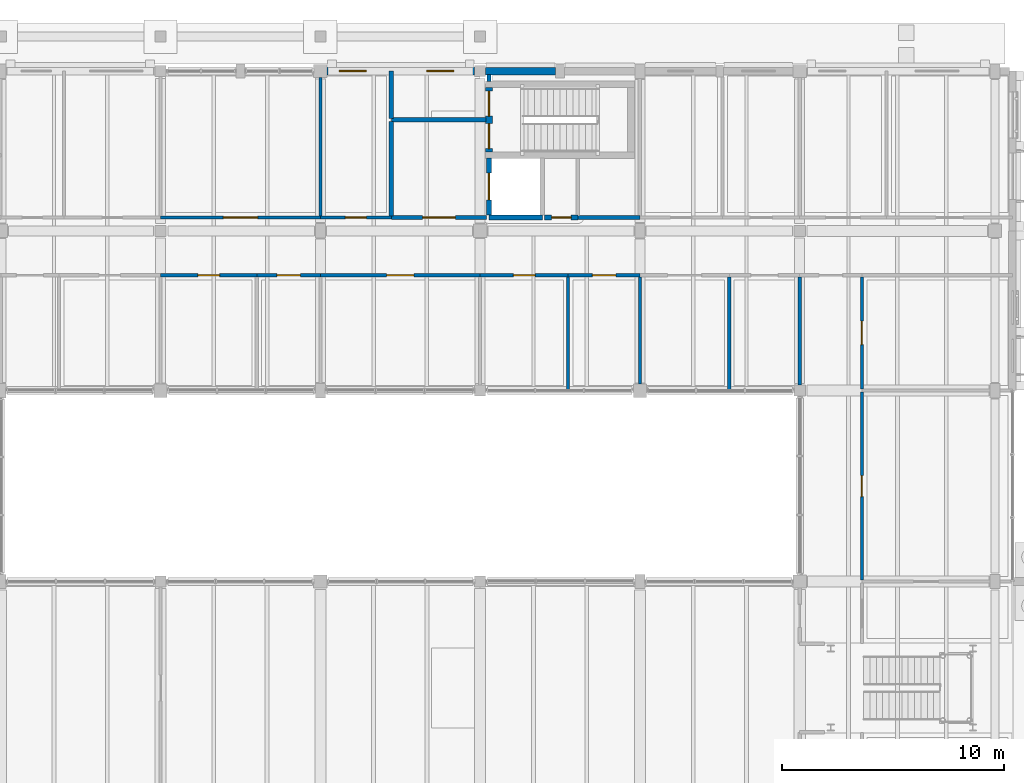
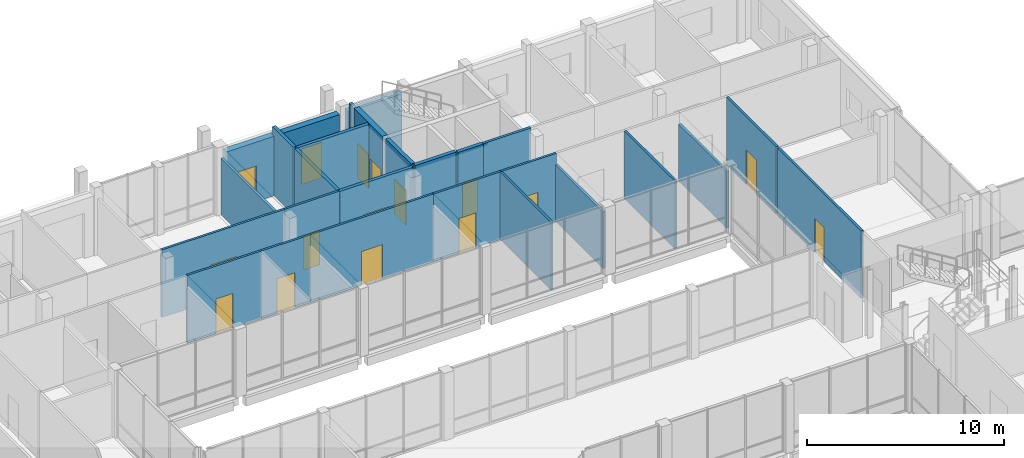
# One storey, part 76 of 104: 26 walls, 16 doors, 16 openings.
"""IFC4 building model written with IfcOpenShell, lengths in metres."""

from ifc_helpers import new_model, si_unit, direction, frame, frame_2d, origin, place, context, subcontext, project, spatial, rectangle, extrude, material, layer, layer_set, type_object, element, fill, save


model = new_model("IFC4")

# Units and contexts
model_context = context("Model", 3, precision=1e-05, world=origin(), true_north=direction((0.0, 1.0)))
body_context = subcontext(model_context, "Body", "Model", "MODEL_VIEW")
ifc_project = project(units=[si_unit("LENGTHUNIT", "METRE"), si_unit("AREAUNIT", "SQUARE_METRE"), si_unit("VOLUMEUNIT", "CUBIC_METRE"), si_unit("PLANEANGLEUNIT", "RADIAN"), si_unit("MASSUNIT", "GRAM", prefix="KILO")], contexts=[model_context])

# Site, building, storey
site_placement = place(None, origin())
site = spatial("IfcSite", under=ifc_project, at=site_placement, CompositionType="ELEMENT")
building_placement = place(site_placement, origin())
building = spatial("IfcBuilding", under=site, at=building_placement, Name="Hawrajan Terrace Health Centre", CompositionType="ELEMENT")
storey_placement = place(building_placement, origin())
storey = spatial("IfcBuildingStorey", under=building, at=storey_placement, Name="L00", CompositionType="ELEMENT", Elevation=0.0)

# Wall, opening, door
ifc_material_1 = material(Name="Gypsum board on acoustic stud framing")
ifc_layer_1 = layer(ifc_material_1, 0.139892578125)
ifc_layer_set_1 = layer_set([ifc_layer_1], Name="Gypsum board on acoustic stud framing")
wall_type_1 = type_object("IfcWallType", Name="ClinicalAcousticWall_140", PredefinedType="PARTITIONING", material=ifc_layer_set_1)
wall_1_placement = place(storey_placement, frame((33.39990234375, 50.60009765625, 0.0), z_axis=(0.0, 0.0, 1.0), x_axis=(1.0, 0.0, 0.0)))
wall_1 = element("IfcWall", 1, at=wall_1_placement, inside=storey, type_object=wall_type_1, Name="Interior wall IW-L00-0290", PredefinedType="PARTITIONING", context=body_context, shape_type="SweptSolid", body=[
    extrude(rectangle(XDim=4.333984375, YDim=0.139892578125, at=frame_2d((2.1669921875, 0.0))), origin(), (0.0, 0.0, 1.0), 4.179931640625),
])
opening_1_placement = place(wall_1_placement, frame((1.677001953125, 0.0, 0.0)))
opening_1 = element("IfcOpeningElement", 2, at=opening_1_placement, cuts=wall_1, Name="Opening D-L00-169", PredefinedType="OPENING", context=body_context, shape_type="SweptSolid", body=[
    extrude(rectangle(XDim=0.97998046875, YDim=2.14990234375, at=frame_2d((0.489990234375, 1.074951171875))), frame((0.0, 0.079833984375, 0.0), z_axis=(0.0, -1.0, 0.0), x_axis=(1.0, 0.0, 0.0)), (0.0, 0.0, 1.0), 0.159912109375),
])
ifc_material_2 = material(Name="Hardwood acoustic clinical door leaf and frame", Category="wood")
door_type_1 = type_object("IfcDoorType", Name="ConsultDoor_980x2150", OperationType="NOTDEFINED", PredefinedType="DOOR", material=ifc_material_2)
door_1_placement = place(opening_1_placement, origin())
door_1 = element("IfcDoor", 3, at=door_1_placement, inside=storey, type_object=door_type_1, Name="Interior door D-L00-169", OperationType="SINGLE_SWING_LEFT", OverallHeight=2.14990234375, OverallWidth=0.97998046875, PredefinedType="DOOR", context=body_context, shape_type="SweptSolid", body=[
    extrude(rectangle(XDim=0.97998046875, YDim=2.14990234375, at=frame_2d((0.489990234375, 1.074951171875))), frame((0.0, 0.02490234375, 0.0), z_axis=(0.0, -1.0, 0.0), x_axis=(1.0, 0.0, 0.0)), (0.0, 0.0, 1.0), 0.050048828125),
])
fill(opening_1, door_1)

wall_2_placement = place(storey_placement, frame((33.39990234375, 53.199951171875, 0.0), z_axis=(0.0, 0.0, 1.0), x_axis=(1.0, 0.0, 0.0)))
wall_2 = element("IfcWall", 4, at=wall_2_placement, inside=storey, type_object=wall_type_1, Name="Interior wall IW-L00-0292", PredefinedType="PARTITIONING", context=body_context, shape_type="SweptSolid", body=[
    extrude(rectangle(XDim=7.2001953125, YDim=0.139892578125, at=frame_2d((3.60009765625, 0.0))), origin(), (0.0, 0.0, 1.0), 4.179931640625),
])
opening_2_placement = place(wall_2_placement, frame((2.830078125, 0.0, 0.0)))
opening_2 = element("IfcOpeningElement", 5, at=opening_2_placement, cuts=wall_2, Name="Opening D-L00-171", PredefinedType="OPENING", context=body_context, shape_type="SweptSolid", body=[
    extrude(rectangle(XDim=1.5400390625, YDim=2.25, at=frame_2d((0.77001953125, 1.125))), frame((0.0, 0.079833984375, 0.0), z_axis=(0.0, -1.0, 0.0), x_axis=(1.0, 0.0, 0.0)), (0.0, 0.0, 1.0), 0.159912109375),
])
door_type_2 = type_object("IfcDoorType", Name="RecoveryBayDoor_1540x2250", OperationType="DOUBLE_DOOR_SINGLE_SWING", PredefinedType="DOOR", material=ifc_material_2)
door_2_placement = place(opening_2_placement, origin())
door_2 = element("IfcDoor", 6, at=door_2_placement, inside=storey, type_object=door_type_2, Name="Interior door D-L00-171", OperationType="DOUBLE_DOOR_SINGLE_SWING", OverallHeight=2.25, OverallWidth=1.5400390625, PredefinedType="DOOR", context=body_context, shape_type="SweptSolid", body=[
    extrude(rectangle(XDim=1.5400390625, YDim=2.25, at=frame_2d((0.77001953125, 1.125))), frame((0.0, 0.02490234375, 0.0), z_axis=(0.0, -1.0, 0.0), x_axis=(1.0, 0.0, 0.0)), (0.0, 0.0, 1.0), 0.050048828125),
])
fill(opening_2, door_2)

wall_3_placement = place(storey_placement, frame((37.73388671875, 50.60009765625, 0.0), z_axis=(0.0, 0.0, 1.0), x_axis=(1.0, 0.0, 0.0)))
wall_3 = element("IfcWall", 7, at=wall_3_placement, inside=storey, type_object=wall_type_1, Name="Interior wall IW-L00-0296", PredefinedType="PARTITIONING", context=body_context, shape_type="SweptSolid", body=[
    extrude(rectangle(XDim=2.8662109375, YDim=0.139892578125, at=frame_2d((1.43310546875, 0.0))), origin(), (0.0, 0.0, 1.0), 4.179931640625),
])
opening_3_placement = place(wall_3_placement, frame((0.903076171875, 0.0, 0.0)))
opening_3 = element("IfcOpeningElement", 8, at=opening_3_placement, cuts=wall_3, Name="Opening D-L00-170", PredefinedType="OPENING", context=body_context, shape_type="SweptSolid", body=[
    extrude(rectangle(XDim=1.06005859375, YDim=2.14990234375, at=frame_2d((0.530029296875, 1.074951171875))), frame((0.0, 0.079833984375, 0.0), z_axis=(0.0, -1.0, 0.0), x_axis=(1.0, 0.0, 0.0)), (0.0, 0.0, 1.0), 0.159912109375),
])
door_type_3 = type_object("IfcDoorType", Name="MentalHealthDoor_1060x2150", OperationType="NOTDEFINED", PredefinedType="DOOR", material=ifc_material_2)
door_3_placement = place(opening_3_placement, origin())
door_3 = element("IfcDoor", 9, at=door_3_placement, inside=storey, type_object=door_type_3, Name="Interior door D-L00-170", OperationType="SINGLE_SWING_RIGHT", OverallHeight=2.14990234375, OverallWidth=1.06005859375, PredefinedType="DOOR", context=body_context, shape_type="SweptSolid", body=[
    extrude(rectangle(XDim=1.06005859375, YDim=2.14990234375, at=frame_2d((0.530029296875, 1.074951171875))), frame((0.0, 0.02490234375, 0.0), z_axis=(0.0, -1.0, 0.0), x_axis=(1.0, 0.0, 0.0)), (0.0, 0.0, 1.0), 0.050048828125),
])
fill(opening_3, door_3)

wall_4_placement = place(storey_placement, frame((40.60009765625, 50.60009765625, 0.0), z_axis=(0.0, 0.0, 1.0), x_axis=(1.0, 0.0, 0.0)))
wall_4 = element("IfcWall", 10, at=wall_4_placement, inside=storey, type_object=wall_type_1, Name="Interior wall IW-L00-0300", PredefinedType="PARTITIONING", context=body_context, shape_type="SweptSolid", body=[
    extrude(rectangle(XDim=7.199951171875, YDim=0.139892578125, at=frame_2d((3.60009765625, 0.0))), origin(), (0.0, 0.0, 1.0), 4.179931640625),
])
opening_4_placement = place(wall_4_placement, frame((2.989990234375, 0.0, 0.0)))
opening_4 = element("IfcOpeningElement", 11, at=opening_4_placement, cuts=wall_4, Name="Opening D-L00-172", PredefinedType="OPENING", context=body_context, shape_type="SweptSolid", body=[
    extrude(rectangle(XDim=1.219970703125, YDim=2.10009765625, at=frame_2d((0.60986328125, 1.050048828125))), frame((0.0, 0.079833984375, 0.0), z_axis=(0.0, -1.0, 0.0), x_axis=(1.0, 0.0, 0.0)), (0.0, 0.0, 1.0), 0.159912109375),
])
door_type_4 = type_object("IfcDoorType", Name="ConsultDoor_1220x2100", OperationType="NOTDEFINED", PredefinedType="DOOR", material=ifc_material_2)
door_4_placement = place(opening_4_placement, origin())
door_4 = element("IfcDoor", 12, at=door_4_placement, inside=storey, type_object=door_type_4, Name="Interior door D-L00-172", OperationType="SINGLE_SWING_RIGHT", OverallHeight=2.10009765625, OverallWidth=1.219970703125, PredefinedType="DOOR", context=body_context, shape_type="SweptSolid", body=[
    extrude(rectangle(XDim=1.219970703125, YDim=2.10009765625, at=frame_2d((0.60986328125, 1.050048828125))), frame((0.0, 0.02490234375, 0.0), z_axis=(0.0, -1.0, 0.0), x_axis=(1.0, 0.0, 0.0)), (0.0, 0.0, 1.0), 0.050048828125),
])
fill(opening_4, door_4)

# Wall
wall_5_placement = place(storey_placement, frame((40.60009765625, 53.27001953125, 0.0), z_axis=(0.0, 0.0, 1.0), x_axis=(0.0, 1.0, 0.0)))
element("IfcWall", 13, at=wall_5_placement, inside=storey, type_object=wall_type_1, Name="Interior wall IW-L00-0301", PredefinedType="PARTITIONING", context=body_context, shape_type="SweptSolid", body=[
    extrude(rectangle(XDim=6.22998046875, YDim=0.139892578125, at=frame_2d((3.114990234375, 0.0))), origin(), (0.0, 0.0, 1.0), 3.5),
])

# Wall, opening, door
wall_6_placement = place(storey_placement, frame((40.60009765625, 53.199951171875, 0.0), z_axis=(0.0, 0.0, 1.0), x_axis=(1.0, 0.0, 0.0)))
wall_6 = element("IfcWall", 14, at=wall_6_placement, inside=storey, type_object=wall_type_1, Name="Interior wall IW-L00-0302", PredefinedType="PARTITIONING", context=body_context, shape_type="SweptSolid", body=[
    extrude(rectangle(XDim=3.199951171875, YDim=0.139892578125, at=frame_2d((1.60009765625, 0.0))), origin(), (0.0, 0.0, 1.0), 4.179931640625),
])
opening_5_placement = place(wall_6_placement, frame((1.125, 0.0, 0.0)))
opening_5 = element("IfcOpeningElement", 15, at=opening_5_placement, cuts=wall_6, Name="Opening D-L00-173", PredefinedType="OPENING", context=body_context, shape_type="SweptSolid", body=[
    extrude(rectangle(XDim=0.949951171875, YDim=2.10009765625, at=frame_2d((0.47509765625, 1.050048828125))), frame((0.0, 0.079833984375, 0.0), z_axis=(0.0, -1.0, 0.0), x_axis=(1.0, 0.0, 0.0)), (0.0, 0.0, 1.0), 0.159912109375),
])
door_type_5 = type_object("IfcDoorType", Name="AccessibleWCDoor_950x2100", OperationType="NOTDEFINED", PredefinedType="DOOR", material=ifc_material_2)
door_5_placement = place(opening_5_placement, origin())
door_5 = element("IfcDoor", 16, at=door_5_placement, inside=storey, type_object=door_type_5, Name="Interior door D-L00-173", OperationType="SINGLE_SWING_LEFT", OverallHeight=2.10009765625, OverallWidth=0.949951171875, PredefinedType="DOOR", context=body_context, shape_type="SweptSolid", body=[
    extrude(rectangle(XDim=0.949951171875, YDim=2.10009765625, at=frame_2d((0.47509765625, 1.050048828125))), frame((0.0, 0.02490234375, 0.0), z_axis=(0.0, -1.0, 0.0), x_axis=(1.0, 0.0, 0.0)), (0.0, 0.0, 1.0), 0.050048828125),
])
fill(opening_5, door_5)

wall_7_placement = place(storey_placement, frame((47.800048828125, 50.60009765625, 0.0), z_axis=(0.0, 0.0, 1.0), x_axis=(1.0, 0.0, 0.0)))
wall_7 = element("IfcWall", 17, at=wall_7_placement, inside=storey, type_object=wall_type_1, Name="Interior wall IW-L00-0311", PredefinedType="PARTITIONING", context=body_context, shape_type="SweptSolid", body=[
    extrude(rectangle(XDim=3.967041015625, YDim=0.139892578125, at=frame_2d((1.9833984375, 0.0))), origin(), (0.0, 0.0, 1.0), 4.179931640625),
])
opening_6_placement = place(wall_7_placement, frame((1.493408203125, 0.0, 0.0)))
opening_6 = element("IfcOpeningElement", 18, at=opening_6_placement, cuts=wall_7, Name="Opening D-L00-174", PredefinedType="OPENING", context=body_context, shape_type="SweptSolid", body=[
    extrude(rectangle(XDim=0.97998046875, YDim=2.14990234375, at=frame_2d((0.489990234375, 1.074951171875))), frame((0.0, 0.079833984375, 0.0), z_axis=(0.0, -1.0, 0.0), x_axis=(1.0, 0.0, 0.0)), (0.0, 0.0, 1.0), 0.159912109375),
])
door_6_placement = place(opening_6_placement, origin())
door_6 = element("IfcDoor", 19, at=door_6_placement, inside=storey, type_object=door_type_1, Name="Interior door D-L00-174", OperationType="SINGLE_SWING_RIGHT", OverallHeight=2.14990234375, OverallWidth=0.97998046875, PredefinedType="DOOR", context=body_context, shape_type="SweptSolid", body=[
    extrude(rectangle(XDim=0.97998046875, YDim=2.14990234375, at=frame_2d((0.489990234375, 1.074951171875))), frame((0.0, 0.02490234375, 0.0), z_axis=(0.0, -1.0, 0.0), x_axis=(1.0, 0.0, 0.0)), (0.0, 0.0, 1.0), 0.050048828125),
])
fill(opening_6, door_6)

# Wall
wall_8_placement = place(storey_placement, frame((51.76708984375, 45.39990234375, 0.0), z_axis=(0.0, 0.0, 1.0), x_axis=(0.0, 1.0, 0.0)))
element("IfcWall", 20, at=wall_8_placement, inside=storey, type_object=wall_type_1, Name="Interior wall IW-L00-0319", PredefinedType="PARTITIONING", context=body_context, shape_type="SweptSolid", body=[
    extrude(rectangle(XDim=5.130126953125, YDim=0.139892578125, at=frame_2d((2.56494140625, 0.0))), origin(), (0.0, 0.0, 1.0), 4.179931640625),
])

# Wall, opening, door
wall_9_placement = place(storey_placement, frame((51.76708984375, 50.60009765625, 0.0), z_axis=(0.0, 0.0, 1.0), x_axis=(1.0, 0.0, 0.0)))
wall_9 = element("IfcWall", 21, at=wall_9_placement, inside=storey, type_object=wall_type_1, Name="Interior wall IW-L00-0320", PredefinedType="PARTITIONING", context=body_context, shape_type="SweptSolid", body=[
    extrude(rectangle(XDim=3.23291015625, YDim=0.139892578125, at=frame_2d((1.616455078125, 0.0))), origin(), (0.0, 0.0, 1.0), 4.179931640625),
])
opening_7_placement = place(wall_9_placement, frame((1.08642578125, 0.0, 0.0)))
opening_7 = element("IfcOpeningElement", 22, at=opening_7_placement, cuts=wall_9, Name="Opening D-L00-175", PredefinedType="OPENING", context=body_context, shape_type="SweptSolid", body=[
    extrude(rectangle(XDim=1.06005859375, YDim=2.14990234375, at=frame_2d((0.530029296875, 1.074951171875))), frame((0.0, 0.079833984375, 0.0), z_axis=(0.0, -1.0, 0.0), x_axis=(1.0, 0.0, 0.0)), (0.0, 0.0, 1.0), 0.159912109375),
])
door_7_placement = place(opening_7_placement, origin())
door_7 = element("IfcDoor", 23, at=door_7_placement, inside=storey, type_object=door_type_3, Name="Interior door D-L00-175", OperationType="SINGLE_SWING_LEFT", OverallHeight=2.14990234375, OverallWidth=1.06005859375, PredefinedType="DOOR", context=body_context, shape_type="SweptSolid", body=[
    extrude(rectangle(XDim=1.06005859375, YDim=2.14990234375, at=frame_2d((0.530029296875, 1.074951171875))), frame((0.0, 0.02490234375, 0.0), z_axis=(0.0, -1.0, 0.0), x_axis=(1.0, 0.0, 0.0)), (0.0, 0.0, 1.0), 0.050048828125),
])
fill(opening_7, door_7)

# Walls
wall_10_placement = place(storey_placement, frame((55.0, 45.699951171875, 0.0), z_axis=(0.0, 0.0, 1.0), x_axis=(0.0, 1.0, 0.0)))
element("IfcWall", 24, at=wall_10_placement, inside=storey, type_object=wall_type_1, Name="Interior wall IW-L00-0323", PredefinedType="PARTITIONING", context=body_context, shape_type="SweptSolid", body=[
    extrude(rectangle(XDim=4.830078125, YDim=0.139892578125, at=frame_2d((2.4150390625, 0.0))), origin(), (0.0, 0.0, 1.0), 3.5),
])
wall_11_placement = place(storey_placement, frame((59.02490234375, 45.39990234375, 0.0), z_axis=(0.0, 0.0, 1.0), x_axis=(0.0, 1.0, 0.0)))
element("IfcWall", 25, at=wall_11_placement, inside=storey, type_object=wall_type_1, Name="Interior wall IW-L00-0331", PredefinedType="PARTITIONING", context=body_context, shape_type="SweptSolid", body=[
    extrude(rectangle(XDim=5.130126953125, YDim=0.139892578125, at=frame_2d((2.56494140625, 0.0))), origin(), (0.0, 0.0, 1.0), 4.179931640625),
])
wall_12_placement = place(storey_placement, frame((62.199951171875, 45.64990234375, 0.0), z_axis=(0.0, 0.0, 1.0), x_axis=(0.0, 1.0, 0.0)))
element("IfcWall", 26, at=wall_12_placement, inside=storey, type_object=wall_type_1, Name="Interior wall IW-L00-0338", PredefinedType="PARTITIONING", context=body_context, shape_type="SweptSolid", body=[
    extrude(rectangle(XDim=4.880126953125, YDim=0.139892578125, at=frame_2d((2.43994140625, 0.0))), origin(), (0.0, 0.0, 1.0), 3.5),
])

# Wall, opening, door
wall_13_placement = place(storey_placement, frame((65.0, 36.8701171875, 0.0), z_axis=(0.0, 0.0, 1.0), x_axis=(0.0, 1.0, 0.0)))
wall_13 = element("IfcWall", 27, at=wall_13_placement, inside=storey, type_object=wall_type_1, Name="Interior wall IW-L00-0351", PredefinedType="PARTITIONING", context=body_context, shape_type="SweptSolid", body=[
    extrude(rectangle(XDim=8.4599609375, YDim=0.139892578125, at=frame_2d((4.22998046875, 0.0))), origin(), (0.0, 0.0, 1.0), 4.179931640625),
])
opening_8_placement = place(wall_13_placement, frame((3.7548828125, 0.0, 0.0)))
opening_8 = element("IfcOpeningElement", 28, at=opening_8_placement, cuts=wall_13, Name="Opening D-L00-133", PredefinedType="OPENING", context=body_context, shape_type="SweptSolid", body=[
    extrude(rectangle(XDim=0.949951171875, YDim=2.10009765625, at=frame_2d((0.47509765625, 1.050048828125))), frame((0.0, 0.079833984375, 0.0), z_axis=(0.0, -1.0, 0.0), x_axis=(1.0, 0.0, 0.0)), (0.0, 0.0, 1.0), 0.159912109375),
])
door_8_placement = place(opening_8_placement, origin())
door_8 = element("IfcDoor", 29, at=door_8_placement, inside=storey, type_object=door_type_5, Name="Interior door D-L00-133", OperationType="SINGLE_SWING_LEFT", OverallHeight=2.10009765625, OverallWidth=0.949951171875, PredefinedType="DOOR", context=body_context, shape_type="SweptSolid", body=[
    extrude(rectangle(XDim=0.949951171875, YDim=2.10009765625, at=frame_2d((0.47509765625, 1.050048828125))), frame((0.0, 0.02490234375, 0.0), z_axis=(0.0, -1.0, 0.0), x_axis=(1.0, 0.0, 0.0)), (0.0, 0.0, 1.0), 0.050048828125),
])
fill(opening_8, door_8)

wall_14_placement = place(storey_placement, frame((65.0, 45.469970703125, 0.0), z_axis=(0.0, 0.0, 1.0), x_axis=(0.0, 1.0, 0.0)))
wall_14 = element("IfcWall", 30, at=wall_14_placement, inside=storey, type_object=wall_type_1, Name="Interior wall IW-L00-0354", PredefinedType="PARTITIONING", context=body_context, shape_type="SweptSolid", body=[
    extrude(rectangle(XDim=5.06005859375, YDim=0.139892578125, at=frame_2d((2.530029296875, 0.0))), origin(), (0.0, 0.0, 1.0), 4.179931640625),
])
opening_9_placement = place(wall_14_placement, frame((2.0, 0.0, 0.0)))
opening_9 = element("IfcOpeningElement", 31, at=opening_9_placement, cuts=wall_14, Name="Opening D-L00-180", PredefinedType="OPENING", context=body_context, shape_type="SweptSolid", body=[
    extrude(rectangle(XDim=1.06005859375, YDim=2.14990234375, at=frame_2d((0.530029296875, 1.074951171875))), frame((0.0, 0.079833984375, 0.0), z_axis=(0.0, -1.0, 0.0), x_axis=(1.0, 0.0, 0.0)), (0.0, 0.0, 1.0), 0.159912109375),
])
door_9_placement = place(opening_9_placement, origin())
door_9 = element("IfcDoor", 32, at=door_9_placement, inside=storey, type_object=door_type_3, Name="Interior door D-L00-180", OperationType="SINGLE_SWING_RIGHT", OverallHeight=2.14990234375, OverallWidth=1.06005859375, PredefinedType="DOOR", context=body_context, shape_type="SweptSolid", body=[
    extrude(rectangle(XDim=1.06005859375, YDim=2.14990234375, at=frame_2d((0.530029296875, 1.074951171875))), frame((0.0, 0.02490234375, 0.0), z_axis=(0.0, -1.0, 0.0), x_axis=(1.0, 0.0, 0.0)), (0.0, 0.0, 1.0), 0.050048828125),
])
fill(opening_9, door_9)

# Wall
ifc_material_3 = material(Name="Precast concrete C40/50", Category="concrete")
ifc_layer_2 = layer(ifc_material_3, 0.340087890625)
ifc_layer_set_2 = layer_set([ifc_layer_2], Name="Precast concrete C40/50")
wall_type_2 = type_object("IfcWallType", Name="CoralAshlarWall_340", PredefinedType="SOLIDWALL", material=ifc_layer_set_2)
wall_15_placement = place(storey_placement, frame((48.050048828125, 59.800048828125, 0.0), z_axis=(0.0, 0.0, 1.0), x_axis=(1.0, 0.0, 0.0)))
element("IfcWall", 33, at=wall_15_placement, inside=storey, type_object=wall_type_2, Name="Exterior wall EW-L00-H06-07-1", PredefinedType="SOLIDWALL", context=body_context, shape_type="SweptSolid", body=[
    extrude(rectangle(XDim=3.14990234375, YDim=0.340087890625, at=frame_2d((1.574951171875, 0.0))), origin(), (0.0, 0.0, 1.0), 3.679931640625),
])

# Wall, openings, doors
ifc_layer_3 = layer(ifc_material_3, 0.360107421875)
ifc_layer_set_3 = layer_set([ifc_layer_3], Name="Precast concrete C40/50")
wall_type_3 = type_object("IfcWallType", Name="CoralPodiumWall_360", PredefinedType="SOLIDWALL", material=ifc_layer_set_3)
wall_16_placement = place(storey_placement, frame((40.89990234375, 59.800048828125, 0.0), z_axis=(0.0, 0.0, 1.0), x_axis=(1.0, 0.0, 0.0)))
wall_16 = element("IfcWall", 34, at=wall_16_placement, inside=storey, type_object=wall_type_3, Name="Exterior wall EW-L00-H05-07-1", PredefinedType="SOLIDWALL", context=body_context, shape_type="SweptSolid", body=[
    extrude(rectangle(XDim=6.650146484375, YDim=0.360107421875, at=frame_2d((3.3251953125, 0.0))), origin(), (0.0, 0.0, 1.0), 3.679931640625),
])
opening_10_placement = place(wall_16_placement, frame((0.550048828125, 0.0, 0.0)))
opening_10 = element("IfcOpeningElement", 35, at=opening_10_placement, cuts=wall_16, Name="Opening D-L00-E007", PredefinedType="OPENING", context=body_context, shape_type="SweptSolid", body=[
    extrude(rectangle(XDim=1.219970703125, YDim=2.199951171875, at=frame_2d((0.60986328125, 1.10009765625))), frame((0.0, 0.18994140625, 0.0), z_axis=(0.0, -1.0, 0.0), x_axis=(1.0, 0.0, 0.0)), (0.0, 0.0, 1.0), 0.380126953125),
])
opening_11_placement = place(wall_16_placement, frame((4.489990234375, 0.0, 0.0)))
opening_11 = element("IfcOpeningElement", 36, at=opening_11_placement, cuts=wall_16, Name="Opening D-L00-E008", PredefinedType="OPENING", context=body_context, shape_type="SweptSolid", body=[
    extrude(rectangle(XDim=1.219970703125, YDim=2.199951171875, at=frame_2d((0.60986328125, 1.10009765625))), frame((0.0, 0.18994140625, 0.0), z_axis=(0.0, -1.0, 0.0), x_axis=(1.0, 0.0, 0.0)), (0.0, 0.0, 1.0), 0.380126953125),
])
ifc_material_4 = material(Name="Anodized bronze thermally broken fire-rated glazed door")
door_type_6 = type_object("IfcDoorType", Name="StairDischargeDoor_1220x2200", OperationType="NOTDEFINED", PredefinedType="DOOR", material=ifc_material_4)
door_10_placement = place(opening_10_placement, origin())
door_10 = element("IfcDoor", 37, at=door_10_placement, inside=storey, type_object=door_type_6, Name="North Central Final Exit Door D-L00-E007", OperationType="SINGLE_SWING_LEFT", OverallHeight=2.199951171875, OverallWidth=1.219970703125, PredefinedType="DOOR", context=body_context, shape_type="SweptSolid", body=[
    extrude(rectangle(XDim=1.219970703125, YDim=2.199951171875, at=frame_2d((0.60986328125, 1.10009765625))), frame((0.0, 0.02490234375, 0.0), z_axis=(0.0, -1.0, 0.0), x_axis=(1.0, 0.0, 0.0)), (0.0, 0.0, 1.0), 0.050048828125),
])
fill(opening_10, door_10)
door_11_placement = place(opening_11_placement, origin())
door_11 = element("IfcDoor", 38, at=door_11_placement, inside=storey, type_object=door_type_6, Name="Exit Passage C2 Final Exit Door D-L00-E008", OperationType="SINGLE_SWING_RIGHT", OverallHeight=2.199951171875, OverallWidth=1.219970703125, PredefinedType="DOOR", context=body_context, shape_type="SweptSolid", body=[
    extrude(rectangle(XDim=1.219970703125, YDim=2.199951171875, at=frame_2d((0.60986328125, 1.10009765625))), frame((0.0, 0.02490234375, 0.0), z_axis=(0.0, -1.0, 0.0), x_axis=(1.0, 0.0, 0.0)), (0.0, 0.0, 1.0), 0.050048828125),
])
fill(opening_11, door_11)

ifc_material_5 = material(Name="Concrete C40/50", Category="concrete")
ifc_layer_4 = layer(ifc_material_5, 0.300048828125)
ifc_layer_set_4 = layer_set([ifc_layer_4], Name="Concrete C40/50")
wall_type_4 = type_object("IfcWallType", Name="CoreShearWall_RC300", PredefinedType="SHEAR", material=ifc_layer_set_4)
wall_17_placement = place(storey_placement, frame((48.199951171875, 56.14990234375, 0.0), z_axis=(0.0, 0.0, 1.0), x_axis=(0.0, 1.0, 0.0)))
wall_17 = element("IfcWall", 39, at=wall_17_placement, inside=storey, type_object=wall_type_4, Name="Core shear wall SW-C2-L00-W", PredefinedType="SHEAR", context=body_context, shape_type="SweptSolid", body=[
    extrude(rectangle(XDim=2.900146484375, YDim=0.300048828125, at=frame_2d((1.4501953125, 0.0))), origin(), (0.0, 0.0, 1.0), 4.25),
])
opening_12_placement = place(wall_17_placement, frame((1.6201171875, 0.0, 0.0)))
opening_12 = element("IfcOpeningElement", 40, at=opening_12_placement, cuts=wall_17, Name="Opening D-L00-093", PredefinedType="OPENING", context=body_context, shape_type="SweptSolid", body=[
    extrude(rectangle(XDim=1.1201171875, YDim=2.10009765625, at=frame_2d((0.56005859375, 1.050048828125))), frame((0.0, 0.159912109375, 0.0), z_axis=(0.0, -1.0, 0.0), x_axis=(1.0, 0.0, 0.0)), (0.0, 0.0, 1.0), 0.320068359375),
])
opening_13_placement = place(wall_17_placement, frame((0.159912109375, 0.0, 0.0)))
opening_13 = element("IfcOpeningElement", 41, at=opening_13_placement, cuts=wall_17, Name="Opening D-L00-094", PredefinedType="OPENING", context=body_context, shape_type="SweptSolid", body=[
    extrude(rectangle(XDim=1.1201171875, YDim=2.10009765625, at=frame_2d((0.56005859375, 1.050048828125))), frame((0.0, 0.159912109375, 0.0), z_axis=(0.0, -1.0, 0.0), x_axis=(1.0, 0.0, 0.0)), (0.0, 0.0, 1.0), 0.320068359375),
])
ifc_material_6 = material(Name="Timber-veneered acoustic fire-resisting door assembly", Category="wood")
door_type_7 = type_object("IfcDoorType", Name="CoreStairDoor_1120x2100", OperationType="NOTDEFINED", PredefinedType="DOOR", material=ifc_material_6)
door_12_placement = place(opening_12_placement, origin())
door_12 = element("IfcDoor", 42, at=door_12_placement, inside=storey, type_object=door_type_7, Name="Interior door D-L00-093", OperationType="SINGLE_SWING_LEFT", OverallHeight=2.10009765625, OverallWidth=1.1201171875, PredefinedType="DOOR", context=body_context, shape_type="SweptSolid", body=[
    extrude(rectangle(XDim=1.1201171875, YDim=2.10009765625, at=frame_2d((0.56005859375, 1.050048828125))), frame((0.0, 0.02490234375, 0.0), z_axis=(0.0, -1.0, 0.0), x_axis=(1.0, 0.0, 0.0)), (0.0, 0.0, 1.0), 0.050048828125),
])
fill(opening_12, door_12)
door_13_placement = place(opening_13_placement, origin())
door_13 = element("IfcDoor", 43, at=door_13_placement, inside=storey, type_object=door_type_7, Name="Interior door D-L00-094", OperationType="SINGLE_SWING_RIGHT", OverallHeight=2.10009765625, OverallWidth=1.1201171875, PredefinedType="DOOR", context=body_context, shape_type="SweptSolid", body=[
    extrude(rectangle(XDim=1.1201171875, YDim=2.10009765625, at=frame_2d((0.56005859375, 1.050048828125))), frame((0.0, 0.02490234375, 0.0), z_axis=(0.0, -1.0, 0.0), x_axis=(1.0, 0.0, 0.0)), (0.0, 0.0, 1.0), 0.050048828125),
])
fill(opening_13, door_13)

# Walls
ifc_layer_5 = layer(ifc_material_1, 0.159912109375)
ifc_layer_set_5 = layer_set([ifc_layer_5], Name="Gypsum board on acoustic stud framing")
wall_type_5 = type_object("IfcWallType", Name="CorridorFireWall_160", PredefinedType="PARTITIONING", material=ifc_layer_set_5)
wall_18_placement = place(storey_placement, frame((55.0, 53.199951171875, 0.0), z_axis=(0.0, 0.0, 1.0), x_axis=(-1.0, 0.0, 0.0)))
element("IfcWall", 44, at=wall_18_placement, inside=storey, type_object=wall_type_5, Name="Interior wall IW-L00-0479", PredefinedType="PARTITIONING", context=body_context, shape_type="SweptSolid", body=[
    extrude(rectangle(XDim=2.800048828125, YDim=0.159912109375, at=frame_2d((1.39990234375, 0.0))), origin(), (0.0, 0.0, 1.0), 4.179931640625),
])
ifc_material_7 = material(Name="Cross-laminated timber CLT C24", Category="wood")
ifc_layer_6 = layer(ifc_material_7, 0.199951171875)
ifc_layer_set_6 = layer_set([ifc_layer_6], Name="Cross-laminated timber CLT C24")
wall_type_6 = type_object("IfcWallType", Name="FireCompartmentWall_200", PredefinedType="PARTITIONING", material=ifc_layer_set_6)
wall_19_placement = place(storey_placement, frame((43.800048828125, 53.27001953125, 0.0), z_axis=(0.0, 0.0, 1.0), x_axis=(0.0, 1.0, 0.0)))
element("IfcWall", 45, at=wall_19_placement, inside=storey, type_object=wall_type_6, Name="Interior wall IW-L00-0303", PredefinedType="PARTITIONING", context=body_context, shape_type="SweptSolid", body=[
    extrude(rectangle(XDim=4.260009765625, YDim=0.199951171875, at=frame_2d((2.1298828125, 0.0))), origin(), (0.0, 0.0, 1.0), 4.179931640625),
])

# Wall, opening, door
wall_20_placement = place(storey_placement, frame((43.800048828125, 53.199951171875, 0.0), z_axis=(0.0, 0.0, 1.0), x_axis=(1.0, 0.0, 0.0)))
wall_20 = element("IfcWall", 46, at=wall_20_placement, inside=storey, type_object=wall_type_6, Name="Interior wall IW-L00-0304", PredefinedType="PARTITIONING", context=body_context, shape_type="SweptSolid", body=[
    extrude(rectangle(XDim=4.2900390625, YDim=0.199951171875, at=frame_2d((2.14501953125, 0.0))), origin(), (0.0, 0.0, 1.0), 4.179931640625),
])
opening_14_placement = place(wall_20_placement, frame((1.405029296875, 0.0, 0.0)))
opening_14 = element("IfcOpeningElement", 47, at=opening_14_placement, cuts=wall_20, Name="Opening D-L00-104", PredefinedType="OPENING", context=body_context, shape_type="SweptSolid", body=[
    extrude(rectangle(XDim=1.47998046875, YDim=2.25, at=frame_2d((0.739990234375, 1.125))), frame((0.0, 0.10986328125, 0.0), z_axis=(0.0, -1.0, 0.0), x_axis=(1.0, 0.0, 0.0)), (0.0, 0.0, 1.0), 0.219970703125),
])
door_type_8 = type_object("IfcDoorType", Name="FFLobbyDoor_1480x2250", OperationType="DOUBLE_DOOR_SINGLE_SWING", PredefinedType="DOOR", material=ifc_material_6)
door_14_placement = place(opening_14_placement, origin())
door_14 = element("IfcDoor", 48, at=door_14_placement, inside=storey, type_object=door_type_8, Name="Interior door D-L00-104", OperationType="DOUBLE_DOOR_SINGLE_SWING", OverallHeight=2.25, OverallWidth=1.47998046875, PredefinedType="DOOR", context=body_context, shape_type="SweptSolid", body=[
    extrude(rectangle(XDim=1.47998046875, YDim=2.25, at=frame_2d((0.739990234375, 1.125))), frame((0.0, 0.02490234375, 0.0), z_axis=(0.0, -1.0, 0.0), x_axis=(1.0, 0.0, 0.0)), (0.0, 0.0, 1.0), 0.050048828125),
])
fill(opening_14, door_14)

# Walls
wall_21_placement = place(storey_placement, frame((43.800048828125, 57.669921875, 0.0), z_axis=(0.0, 0.0, 1.0), x_axis=(0.0, 1.0, 0.0)))
element("IfcWall", 49, at=wall_21_placement, inside=storey, type_object=wall_type_6, Name="Interior wall IW-L00-0305", PredefinedType="PARTITIONING", context=body_context, shape_type="SweptSolid", body=[
    extrude(rectangle(XDim=2.130126953125, YDim=0.199951171875, at=frame_2d((1.06494140625, 0.0))), origin(), (0.0, 0.0, 1.0), 4.179931640625),
])
wall_22_placement = place(storey_placement, frame((43.800048828125, 57.60009765625, 0.0), z_axis=(0.0, 0.0, 1.0), x_axis=(1.0, 0.0, 0.0)))
element("IfcWall", 50, at=wall_22_placement, inside=storey, type_object=wall_type_6, Name="Interior wall IW-L00-0306", PredefinedType="PARTITIONING", context=body_context, shape_type="SweptSolid", body=[
    extrude(rectangle(XDim=4.260009765625, YDim=0.199951171875, at=frame_2d((2.1298828125, 0.0))), origin(), (0.0, 0.0, 1.0), 4.179931640625),
])
wall_23_placement = place(storey_placement, frame((48.199951171875, 59.340087890625, 0.0), z_axis=(0.0, 0.0, 1.0), x_axis=(0.0, 1.0, 0.0)))
element("IfcWall", 51, at=wall_23_placement, inside=storey, type_object=wall_type_6, Name="Interior wall IW-L00-0471", PredefinedType="PARTITIONING", context=body_context, shape_type="SweptSolid", body=[
    extrude(rectangle(XDim=0.309814453125, YDim=0.199951171875, at=frame_2d((0.15478515625, 0.0))), origin(), (0.0, 0.0, 1.0), 4.179931640625),
])
ifc_layer_7 = layer(ifc_material_5, 0.219970703125)
ifc_layer_set_7 = layer_set([ifc_layer_7], Name="Concrete C40/50")
wall_type_7 = type_object("IfcWallType", Name="ShaftWall_RC220", PredefinedType="SOLIDWALL", material=ifc_layer_set_7)
wall_24_placement = place(storey_placement, frame((48.199951171875, 53.199951171875, 0.0), z_axis=(0.0, 0.0, 1.0), x_axis=(1.0, 0.0, 0.0)))
element("IfcWall", 52, at=wall_24_placement, inside=storey, type_object=wall_type_7, Name="Lift shaft wall LW-LC-03-L00-S", PredefinedType="SOLIDWALL", context=body_context, shape_type="SweptSolid", body=[
    extrude(rectangle(XDim=2.400146484375, YDim=0.219970703125, at=frame_2d((1.2001953125, 0.0))), origin(), (0.0, 0.0, 1.0), 4.25),
])

# Wall, opening, door
wall_25_placement = place(storey_placement, frame((48.199951171875, 53.31005859375, 0.0), z_axis=(0.0, 0.0, 1.0), x_axis=(0.0, 1.0, 0.0)))
wall_25 = element("IfcWall", 53, at=wall_25_placement, inside=storey, type_object=wall_type_7, Name="Lift shaft wall LW-LC-03-L00-W", PredefinedType="SOLIDWALL", context=body_context, shape_type="SweptSolid", body=[
    extrude(rectangle(XDim=2.579833984375, YDim=0.219970703125, at=frame_2d((1.2900390625, 0.0))), origin(), (0.0, 0.0, 1.0), 4.25),
])
opening_15_placement = place(wall_25_placement, frame((0.68994140625, 0.0, 0.0)))
opening_15 = element("IfcOpeningElement", 54, at=opening_15_placement, cuts=wall_25, Name="Opening LD-L00-LC-03", PredefinedType="OPENING", context=body_context, shape_type="SweptSolid", body=[
    extrude(rectangle(XDim=1.199951171875, YDim=2.14990234375, at=frame_2d((0.60009765625, 1.074951171875))), frame((0.0, 0.119873046875, 0.0), z_axis=(0.0, -1.0, 0.0), x_axis=(1.0, 0.0, 0.0)), (0.0, 0.0, 1.0), 0.239990234375),
])
ifc_material_8 = material(Name="Brushed bronze stainless-steel sliding lift landing door", Category="steel")
door_type_9 = type_object("IfcDoorType", Name="LiftLandingDoor_1200x2150", OperationType="SLIDING_TO_LEFT", PredefinedType="DOOR", material=ifc_material_8)
door_15_placement = place(opening_15_placement, origin())
door_15 = element("IfcDoor", 55, at=door_15_placement, inside=storey, type_object=door_type_9, Name="Lift landing door LD-L00-LC-03", OperationType="SLIDING_TO_LEFT", OverallHeight=2.14990234375, OverallWidth=1.199951171875, PredefinedType="DOOR", context=body_context, shape_type="SweptSolid", body=[
    extrude(rectangle(XDim=1.199951171875, YDim=2.14990234375, at=frame_2d((0.60009765625, 1.074951171875))), frame((0.0, 0.02490234375, 0.0), z_axis=(0.0, -1.0, 0.0), x_axis=(1.0, 0.0, 0.0)), (0.0, 0.0, 1.0), 0.050048828125),
])
fill(opening_15, door_15)

wall_26_placement = place(storey_placement, frame((50.7099609375, 53.199951171875, 0.0), z_axis=(0.0, 0.0, 1.0), x_axis=(1.0, 0.0, 0.0)))
wall_26 = element("IfcWall", 56, at=wall_26_placement, inside=storey, type_object=wall_type_7, Name="Interior wall IW-L00-0312", PredefinedType="SOLIDWALL", context=body_context, shape_type="SweptSolid", body=[
    extrude(rectangle(XDim=1.489990234375, YDim=0.219970703125, at=frame_2d((0.7451171875, 0.0))), origin(), (0.0, 0.0, 1.0), 4.179931640625),
])
opening_16_placement = place(wall_26_placement, frame((0.304931640625, 0.0, 0.0)))
opening_16 = element("IfcOpeningElement", 57, at=opening_16_placement, cuts=wall_26, Name="Opening D-L00-140", PredefinedType="OPENING", context=body_context, shape_type="SweptSolid", body=[
    extrude(rectangle(XDim=0.8798828125, YDim=2.050048828125, at=frame_2d((0.43994140625, 1.02490234375))), frame((0.0, 0.119873046875, 0.0), z_axis=(0.0, -1.0, 0.0), x_axis=(1.0, 0.0, 0.0)), (0.0, 0.0, 1.0), 0.239990234375),
])
door_type_10 = type_object("IfcDoorType", Name="RiserAccessDoor_880x2050", OperationType="NOTDEFINED", PredefinedType="DOOR", material=ifc_material_6)
door_16_placement = place(opening_16_placement, origin())
door_16 = element("IfcDoor", 58, at=door_16_placement, inside=storey, type_object=door_type_10, Name="Service riser access door D-L00-140", OperationType="SINGLE_SWING_RIGHT", OverallHeight=2.050048828125, OverallWidth=0.8798828125, PredefinedType="DOOR", context=body_context, shape_type="SweptSolid", body=[
    extrude(rectangle(XDim=0.8798828125, YDim=2.050048828125, at=frame_2d((0.43994140625, 1.02490234375))), frame((0.0, 0.02490234375, 0.0), z_axis=(0.0, -1.0, 0.0), x_axis=(1.0, 0.0, 0.0)), (0.0, 0.0, 1.0), 0.050048828125),
])
fill(opening_16, door_16)

save(model, "model.ifc")
